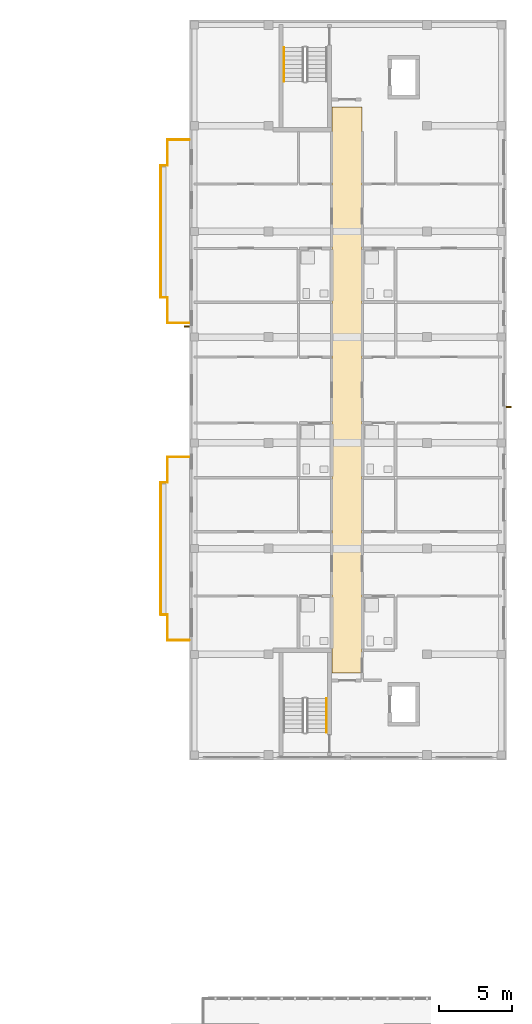
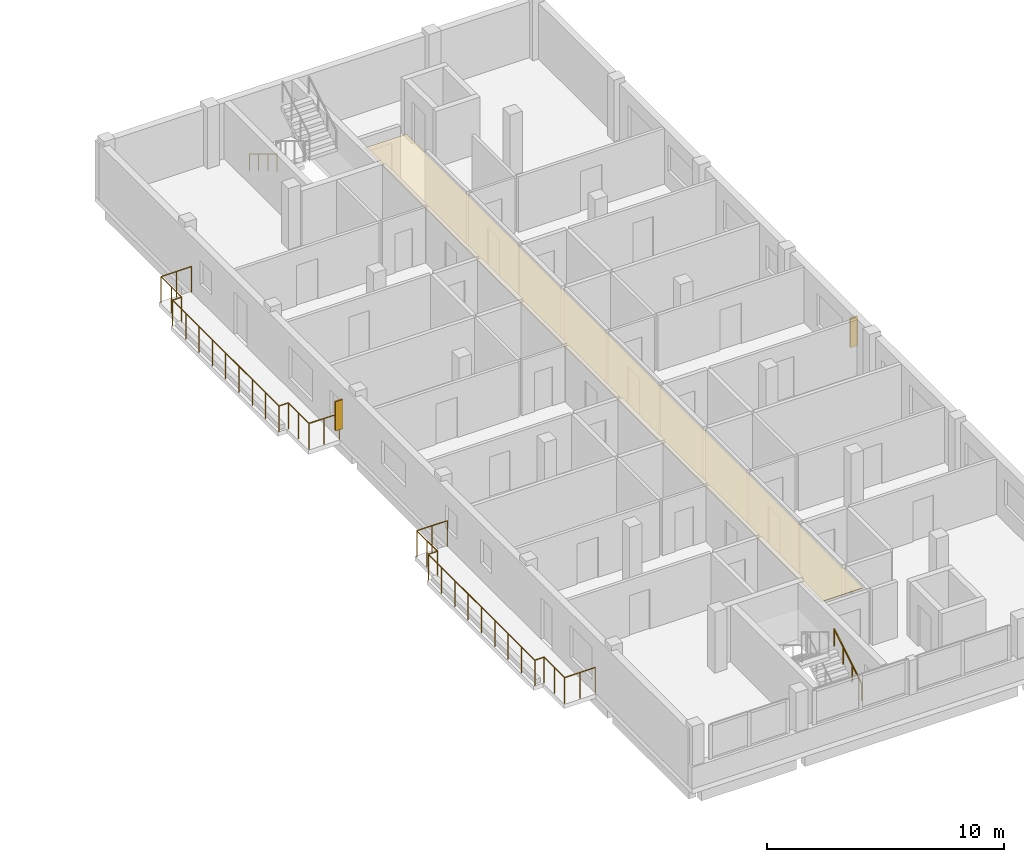
# One storey, part 38 of 41: 4 railings, 2 shading devices, 1 covering.
"""IFC4 building model written with IfcOpenShell, lengths in metres."""

from ifc_helpers import new_model, si_unit, derived_unit, direction, frame, origin, origin_2d, place, context, subcontext, project, spatial, polyline, rectangle, circle, outline, extrude, material, layer, layer_set, type_object, element, save


model = new_model("IFC4")

# Units and contexts
model_context = context("Model", 3, precision=1e-05, world=origin(), true_north=direction((0.0, 1.0)))
body_context = subcontext(model_context, "Body", "Model", "MODEL_VIEW")
ifc_project = project(units=[si_unit("LENGTHUNIT", "METRE"), si_unit("AREAUNIT", "SQUARE_METRE"), si_unit("VOLUMEUNIT", "CUBIC_METRE"), si_unit("PLANEANGLEUNIT", "RADIAN"), si_unit("MASSUNIT", "GRAM", prefix="KILO"), derived_unit("THERMALTRANSMITTANCEUNIT", [(si_unit("MASSUNIT", "GRAM", prefix="KILO"), 1), (si_unit("TIMEUNIT", "SECOND"), -3), (si_unit("THERMODYNAMICTEMPERATUREUNIT", "KELVIN"), -1)])], contexts=[model_context])

# Site, building, storey
site_placement = place(None, origin())
site = spatial("IfcSite", under=ifc_project, at=site_placement, CompositionType="ELEMENT")
building_placement = place(site_placement, origin())
building = spatial("IfcBuilding", under=site, at=building_placement, Name="Ochrekiln Boulevard Commons", CompositionType="ELEMENT")
storey_placement = place(building_placement, frame((0.0, 0.0, 21.52490234375)))
storey = spatial("IfcBuildingStorey", under=building, at=storey_placement, Name="L06", CompositionType="ELEMENT", Elevation=21.52490234375)

# Covering
ifc_material_1 = material(Name="Mineral-fibre acoustic ceiling tile")
ifc_layer = layer(ifc_material_1, 0.02490234375)
ifc_layer_set = layer_set([ifc_layer], Name="Mineral-fibre acoustic ceiling tile")
covering_type = type_object("IfcCoveringType", Name="COV-CEIL-AC", PredefinedType="CEILING", material=ifc_layer_set)
covering_placement = place(storey_placement, frame((0.0, 0.0, 2.650146484375)))
element("IfcCovering", 1, at=covering_placement, inside=storey, type_object=covering_type, Name="L06 Acoustic Corridor Ceiling 52", PredefinedType="CEILING", context=body_context, shape_type="SweptSolid", body=[
    extrude(outline(polyline([(160.919921875, 74.320068359375), (162.97998046875, 74.320068359375), (162.97998046875, 112.8798828125), (160.919921875, 112.8798828125), (160.919921875, 74.320068359375)])), origin(), (0.0, 0.0, 1.0), 0.02490234375),
])

# Railings
ifc_material_2 = material(Name="Bronze-anodized extruded aluminium 6063-T6", Category="aluminium")
railing_type_1 = type_object("IfcRailingType", Name="RLG-BAL-1350", PredefinedType="BALUSTRADE", material=ifc_material_2)
railing_1_placement = place(storey_placement, frame((151.199951171875, 76.56005859375, 0.0)))
element("IfcRailing", 2, at=railing_1_placement, inside=storey, type_object=railing_type_1, Name="Block B L06 Balcony Guard Balustrade 1", PredefinedType="BALUSTRADE", context=body_context, shape_type="SweptSolid", body=[
    extrude(circle(Radius=0.02392578125, at=origin_2d()), frame((0.0, 0.0, 1.326171875), z_axis=(-1.0, 0.0, 0.0), x_axis=(0.0, -1.0, 0.0)), (0.0, 0.0, 1.0), 1.489990234375),
    extrude(circle(Radius=0.02392578125, at=origin_2d()), frame((-1.489990234375, 0.0, 1.326171875), z_axis=(0.0, 1.0, 0.0), x_axis=(-1.0, 0.0, 0.0)), (0.0, 0.0, 1.0), 1.739990234375),
    extrude(circle(Radius=0.02392578125, at=origin_2d()), frame((-1.489990234375, 1.739990234375, 1.326171875), z_axis=(-1.0, 0.0, 0.0), x_axis=(0.0, -1.0, 0.0)), (0.0, 0.0, 1.0), 0.449951171875),
    extrude(circle(Radius=0.02392578125, at=origin_2d()), frame((-1.93994140625, 1.739990234375, 1.326171875), z_axis=(0.0, 1.0, 0.0), x_axis=(-1.0, 0.0, 0.0)), (0.0, 0.0, 1.0), 9.0),
    extrude(circle(Radius=0.02392578125, at=origin_2d()), frame((-1.93994140625, 10.739990234375, 1.326171875), z_axis=(1.0, 0.0, 0.0), x_axis=(0.0, 1.0, 0.0)), (0.0, 0.0, 1.0), 0.449951171875),
    extrude(circle(Radius=0.02392578125, at=origin_2d()), frame((-1.489990234375, 10.739990234375, 1.326171875), z_axis=(0.0, 1.0, 0.0), x_axis=(-1.0, 0.0, 0.0)), (0.0, 0.0, 1.0), 1.739990234375),
    extrude(circle(Radius=0.02392578125, at=origin_2d()), frame((-1.489990234375, 12.47998046875, 1.326171875), z_axis=(1.0, 0.0, 0.0), x_axis=(0.0, 1.0, 0.0)), (0.0, 0.0, 1.0), 1.489990234375),
    extrude(circle(Radius=0.02099609375, at=origin_2d()), origin(), (0.0, 0.0, 1.0), 1.302001953125),
    extrude(circle(Radius=0.02099609375, at=origin_2d()), frame((-0.7451171875, 0.0, 0.0)), (0.0, 0.0, 1.0), 1.302001953125),
    extrude(circle(Radius=0.02099609375, at=origin_2d()), frame((-1.489990234375, 0.0, 0.0)), (0.0, 0.0, 1.0), 1.302001953125),
    extrude(circle(Radius=0.02099609375, at=origin_2d()), frame((-1.489990234375, 0.8701171875, 0.0)), (0.0, 0.0, 1.0), 1.302001953125),
    extrude(circle(Radius=0.02099609375, at=origin_2d()), frame((-1.489990234375, 1.739990234375, 0.0)), (0.0, 0.0, 1.0), 1.302001953125),
    extrude(circle(Radius=0.02099609375, at=origin_2d()), frame((-1.93994140625, 1.739990234375, 0.0)), (0.0, 0.0, 1.0), 1.302001953125),
    extrude(circle(Radius=0.02099609375, at=origin_2d()), frame((-1.93994140625, 2.864990234375, 0.0)), (0.0, 0.0, 1.0), 1.302001953125),
    extrude(circle(Radius=0.02099609375, at=origin_2d()), frame((-1.93994140625, 3.989990234375, 0.0)), (0.0, 0.0, 1.0), 1.302001953125),
    extrude(circle(Radius=0.02099609375, at=origin_2d()), frame((-1.93994140625, 5.114990234375, 0.0)), (0.0, 0.0, 1.0), 1.302001953125),
    extrude(circle(Radius=0.02099609375, at=origin_2d()), frame((-1.93994140625, 6.239990234375, 0.0)), (0.0, 0.0, 1.0), 1.302001953125),
    extrude(circle(Radius=0.02099609375, at=origin_2d()), frame((-1.93994140625, 7.364990234375, 0.0)), (0.0, 0.0, 1.0), 1.302001953125),
    extrude(circle(Radius=0.02099609375, at=origin_2d()), frame((-1.93994140625, 8.489990234375, 0.0)), (0.0, 0.0, 1.0), 1.302001953125),
    extrude(circle(Radius=0.02099609375, at=origin_2d()), frame((-1.93994140625, 9.614990234375, 0.0)), (0.0, 0.0, 1.0), 1.302001953125),
    extrude(circle(Radius=0.02099609375, at=origin_2d()), frame((-1.93994140625, 10.739990234375, 0.0)), (0.0, 0.0, 1.0), 1.302001953125),
    extrude(circle(Radius=0.02099609375, at=origin_2d()), frame((-1.489990234375, 10.739990234375, 0.0)), (0.0, 0.0, 1.0), 1.302001953125),
    extrude(circle(Radius=0.02099609375, at=origin_2d()), frame((-1.489990234375, 11.60986328125, 0.0)), (0.0, 0.0, 1.0), 1.302001953125),
    extrude(circle(Radius=0.02099609375, at=origin_2d()), frame((-1.489990234375, 12.47998046875, 0.0)), (0.0, 0.0, 1.0), 1.302001953125),
    extrude(circle(Radius=0.02099609375, at=origin_2d()), frame((-0.7451171875, 12.47998046875, 0.0)), (0.0, 0.0, 1.0), 1.302001953125),
    extrude(circle(Radius=0.02099609375, at=origin_2d()), frame((0.0, 12.47998046875, 0.0)), (0.0, 0.0, 1.0), 1.302001953125),
])
railing_2_placement = place(storey_placement, frame((151.199951171875, 98.159912109375, 0.0)))
element("IfcRailing", 3, at=railing_2_placement, inside=storey, type_object=railing_type_1, Name="Block B L06 Balcony Guard Balustrade 2", PredefinedType="BALUSTRADE", context=body_context, shape_type="SweptSolid", body=[
    extrude(circle(Radius=0.02392578125, at=origin_2d()), frame((0.0, 0.0, 1.326171875), z_axis=(-1.0, 0.0, 0.0), x_axis=(0.0, -1.0, 0.0)), (0.0, 0.0, 1.0), 1.489990234375),
    extrude(circle(Radius=0.02392578125, at=origin_2d()), frame((-1.489990234375, 0.0, 1.326171875), z_axis=(0.0, 1.0, 0.0), x_axis=(-1.0, 0.0, 0.0)), (0.0, 0.0, 1.0), 1.739990234375),
    extrude(circle(Radius=0.02392578125, at=origin_2d()), frame((-1.489990234375, 1.739990234375, 1.326171875), z_axis=(-1.0, 0.0, 0.0), x_axis=(0.0, -1.0, 0.0)), (0.0, 0.0, 1.0), 0.449951171875),
    extrude(circle(Radius=0.02392578125, at=origin_2d()), frame((-1.93994140625, 1.739990234375, 1.326171875), z_axis=(0.0, 1.0, 0.0), x_axis=(-1.0, 0.0, 0.0)), (0.0, 0.0, 1.0), 9.0),
    extrude(circle(Radius=0.02392578125, at=origin_2d()), frame((-1.93994140625, 10.739990234375, 1.326171875), z_axis=(1.0, 0.0, 0.0), x_axis=(0.0, 1.0, 0.0)), (0.0, 0.0, 1.0), 0.449951171875),
    extrude(circle(Radius=0.02392578125, at=origin_2d()), frame((-1.489990234375, 10.739990234375, 1.326171875), z_axis=(0.0, 1.0, 0.0), x_axis=(-1.0, 0.0, 0.0)), (0.0, 0.0, 1.0), 1.739990234375),
    extrude(circle(Radius=0.02392578125, at=origin_2d()), frame((-1.489990234375, 12.47998046875, 1.326171875), z_axis=(1.0, 0.0, 0.0), x_axis=(0.0, 1.0, 0.0)), (0.0, 0.0, 1.0), 1.489990234375),
    extrude(circle(Radius=0.02099609375, at=origin_2d()), origin(), (0.0, 0.0, 1.0), 1.302001953125),
    extrude(circle(Radius=0.02099609375, at=origin_2d()), frame((-0.7451171875, 0.0, 0.0)), (0.0, 0.0, 1.0), 1.302001953125),
    extrude(circle(Radius=0.02099609375, at=origin_2d()), frame((-1.489990234375, 0.0, 0.0)), (0.0, 0.0, 1.0), 1.302001953125),
    extrude(circle(Radius=0.02099609375, at=origin_2d()), frame((-1.489990234375, 0.8701171875, 0.0)), (0.0, 0.0, 1.0), 1.302001953125),
    extrude(circle(Radius=0.02099609375, at=origin_2d()), frame((-1.489990234375, 1.739990234375, 0.0)), (0.0, 0.0, 1.0), 1.302001953125),
    extrude(circle(Radius=0.02099609375, at=origin_2d()), frame((-1.93994140625, 1.739990234375, 0.0)), (0.0, 0.0, 1.0), 1.302001953125),
    extrude(circle(Radius=0.02099609375, at=origin_2d()), frame((-1.93994140625, 2.864990234375, 0.0)), (0.0, 0.0, 1.0), 1.302001953125),
    extrude(circle(Radius=0.02099609375, at=origin_2d()), frame((-1.93994140625, 3.989990234375, 0.0)), (0.0, 0.0, 1.0), 1.302001953125),
    extrude(circle(Radius=0.02099609375, at=origin_2d()), frame((-1.93994140625, 5.114990234375, 0.0)), (0.0, 0.0, 1.0), 1.302001953125),
    extrude(circle(Radius=0.02099609375, at=origin_2d()), frame((-1.93994140625, 6.239990234375, 0.0)), (0.0, 0.0, 1.0), 1.302001953125),
    extrude(circle(Radius=0.02099609375, at=origin_2d()), frame((-1.93994140625, 7.364990234375, 0.0)), (0.0, 0.0, 1.0), 1.302001953125),
    extrude(circle(Radius=0.02099609375, at=origin_2d()), frame((-1.93994140625, 8.489990234375, 0.0)), (0.0, 0.0, 1.0), 1.302001953125),
    extrude(circle(Radius=0.02099609375, at=origin_2d()), frame((-1.93994140625, 9.614990234375, 0.0)), (0.0, 0.0, 1.0), 1.302001953125),
    extrude(circle(Radius=0.02099609375, at=origin_2d()), frame((-1.93994140625, 10.739990234375, 0.0)), (0.0, 0.0, 1.0), 1.302001953125),
    extrude(circle(Radius=0.02099609375, at=origin_2d()), frame((-1.489990234375, 10.739990234375, 0.0)), (0.0, 0.0, 1.0), 1.302001953125),
    extrude(circle(Radius=0.02099609375, at=origin_2d()), frame((-1.489990234375, 11.60986328125, 0.0)), (0.0, 0.0, 1.0), 1.302001953125),
    extrude(circle(Radius=0.02099609375, at=origin_2d()), frame((-1.489990234375, 12.47998046875, 0.0)), (0.0, 0.0, 1.0), 1.302001953125),
    extrude(circle(Radius=0.02099609375, at=origin_2d()), frame((-0.7451171875, 12.47998046875, 0.0)), (0.0, 0.0, 1.0), 1.302001953125),
    extrude(circle(Radius=0.02099609375, at=origin_2d()), frame((0.0, 12.47998046875, 0.0)), (0.0, 0.0, 1.0), 1.302001953125),
])
ifc_material_3 = material(Name="Brushed stainless steel 316 tubular railing", Category="steel")
railing_type_2 = type_object("IfcRailingType", Name="RLG-HDR-900", PredefinedType="HANDRAIL", material=ifc_material_3)
railing_3_placement = place(storey_placement, frame((160.550048828125, 70.27001953125, 0.175048828125)))
element("IfcRailing", 4, at=railing_3_placement, inside=storey, type_object=railing_type_2, Name="L06 ST-B1 stair handrail 1", PredefinedType="HANDRAIL", context=body_context, shape_type="SweptSolid", body=[
    extrude(circle(Radius=0.02392578125, at=origin_2d()), frame((0.0, 0.0, 0.8759765625), z_axis=(0.0, 0.856170481923, 0.516693435108), x_axis=(-1.0, 0.0, 0.0)), (0.0, 0.0, 1.0), 2.709716796875),
    extrude(circle(Radius=0.02099609375, at=origin_2d()), origin(), (0.0, 0.0, 1.0), 0.851806640625),
    extrude(circle(Radius=0.02099609375, at=origin_2d()), frame((0.0, 0.7734375, 0.466796875)), (0.0, 0.0, 1.0), 0.851806640625),
    extrude(circle(Radius=0.02099609375, at=origin_2d()), frame((0.0, 1.546630859375, 0.933349609375)), (0.0, 0.0, 1.0), 0.851806640625),
    extrude(circle(Radius=0.02099609375, at=origin_2d()), frame((0.0, 2.320068359375, 1.400146484375)), (0.0, 0.0, 1.0), 0.851806640625),
])
railing_4_placement = place(storey_placement, frame((157.64990234375, 116.929931640625, 0.175048828125)))
element("IfcRailing", 5, at=railing_4_placement, inside=storey, type_object=railing_type_2, Name="L06 ST-B2 stair handrail 1", PredefinedType="HANDRAIL", context=body_context, shape_type="SweptSolid", body=[
    extrude(circle(Radius=0.02392578125, at=origin_2d()), frame((0.0, 0.0, 0.8759765625), z_axis=(0.0, -0.856146426353, 0.516733293531), x_axis=(1.0, 0.0, 0.0)), (0.0, 0.0, 1.0), 2.709716796875),
    extrude(circle(Radius=0.02099609375, at=origin_2d()), origin(), (0.0, 0.0, 1.0), 0.851806640625),
    extrude(circle(Radius=0.02099609375, at=origin_2d()), frame((0.0, -0.773193359375, 0.466796875)), (0.0, 0.0, 1.0), 0.851806640625),
    extrude(circle(Radius=0.02099609375, at=origin_2d()), frame((0.0, -1.546630859375, 0.933349609375)), (0.0, 0.0, 1.0), 0.851806640625),
    extrude(circle(Radius=0.02099609375, at=origin_2d()), frame((0.0, -2.31982421875, 1.400146484375)), (0.0, 0.0, 1.0), 0.851806640625),
])

# Shading devices
ifc_material_4 = material(Name="Glazed architectural terracotta ASTM C1405", Category="masonry")
shading_device_type = type_object("IfcShadingDeviceType", Name="SHD-FIN-TERRA", PredefinedType="JALOUSIE", material=ifc_material_4)
for number, where, z_axis, x_axis, name in (
    (6, (151.030029296875, 97.927001953125, 0.7001953125), (0.0, 0.0, 1.0), (1.0, 0.0, 0.0), "Terracotta Solar Shading Fin SF-01 (38)"),
    (7, (172.969970703125, 92.445068359375, 0.630126953125), (0.0, 0.0, 1.0), (1.0, 0.0, 0.0), "Terracotta Solar Shading Fin SF-01 (39)"),
):
    element("IfcShadingDevice", number, at=place(storey_placement, frame(where, z_axis=z_axis, x_axis=x_axis)), inside=storey, type_object=shading_device_type, Name=name, PredefinedType="JALOUSIE", context=body_context, shape_type="SweptSolid", body=[
        extrude(rectangle(XDim=0.35009765625, YDim=0.080078125, at=origin_2d()), origin(), (0.0, 0.0, 1.0), 1.5),
    ])

save(model, "model.ifc")
